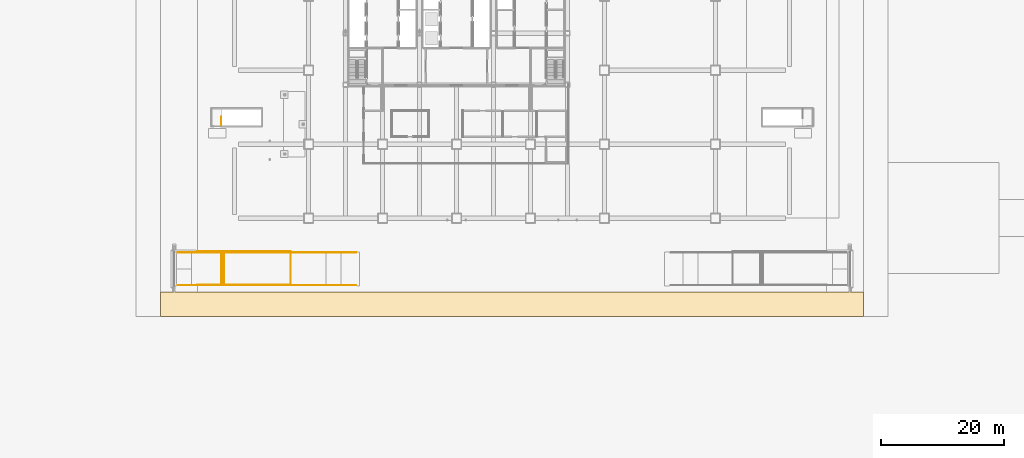
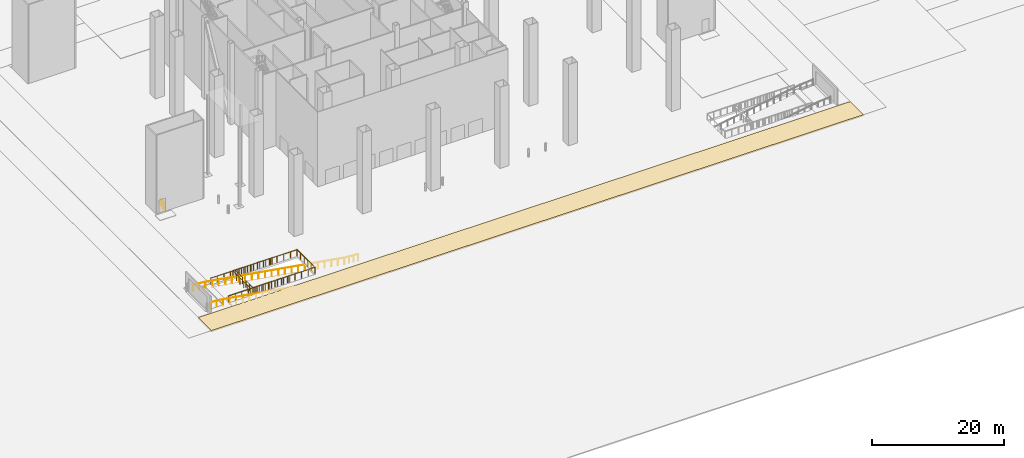
# One storey, part 16 of 22: 6 railings, 1 covering.
"""IFC4 building model written with IfcOpenShell, lengths in metres."""

from ifc_helpers import new_model, si_unit, direction, frame, origin, origin_2d, place, context, subcontext, project, spatial, polyline, circle, outline, extrude, material, layer, layer_set, type_object, element, save


model = new_model("IFC4")

# Units and contexts
model_context = context("Model", 3, precision=1e-05, world=origin(), true_north=direction((0.0, 1.0)))
body_context = subcontext(model_context, "Body", "Model", "MODEL_VIEW")
ifc_project = project(units=[si_unit("LENGTHUNIT", "METRE"), si_unit("AREAUNIT", "SQUARE_METRE"), si_unit("VOLUMEUNIT", "CUBIC_METRE"), si_unit("PLANEANGLEUNIT", "RADIAN"), si_unit("MASSUNIT", "GRAM", prefix="KILO")], contexts=[model_context])

# Site, building, storey
site_placement = place(None, origin())
site = spatial("IfcSite", under=ifc_project, at=site_placement, CompositionType="ELEMENT")
building_placement = place(site_placement, origin())
building = spatial("IfcBuilding", under=site, at=building_placement, Name="Sorahane Residences", CompositionType="ELEMENT")
storey_placement = place(building_placement, origin())
storey = spatial("IfcBuildingStorey", under=building, at=storey_placement, Name="L00", CompositionType="ELEMENT", Elevation=0.0)

# Covering
ifc_material_1 = material(Name="Concrete paving on compacted granular sub-base", Category="concrete")
ifc_layer = layer(ifc_material_1, 0.25)
ifc_layer_set = layer_set([ifc_layer], Name="Fire lane paving concrete 250")
covering_type = type_object("IfcCoveringType", Name="Fire lane paving concrete 250", PredefinedType="USERDEFINED", material=ifc_layer_set)
covering_placement = place(storey_placement, frame((0.0, 0.0, -0.25)))
element("IfcCovering", 1, at=covering_placement, inside=storey, type_object=covering_type, Name="Fire lane south", ObjectType="PAVING", PredefinedType="USERDEFINED", context=body_context, shape_type="SweptSolid", body=[
    extrude(outline(polyline([(90.0, -16.0), (90.0, -12.0), (-24.0, -12.0), (-24.0, -16.0), (90.0, -16.0)])), origin(), (0.0, 0.0, 1.0), 0.25),
])

# Railings
ifc_material_2 = material(Name="Steel Q355B", Category="steel")
railing_type_1 = type_object("IfcRailingType", Name="Ramp opening guard 1200 Steel Q355B", PredefinedType="GUARDRAIL", material=ifc_material_2)
railing_1_placement = place(storey_placement, frame((-21.199951171875, -10.89990234375, -0.0166015625)))
element("IfcRailing", 2, at=railing_1_placement, inside=storey, type_object=railing_type_1, Name="L00 ramp flight guard south", PredefinedType="GUARDRAIL", context=body_context, shape_type="SweptSolid", body=[
    extrude(circle(Radius=0.02392578125, at=origin_2d()), frame((0.0, 0.0, 1.17578125), z_axis=(0.996544995499, 0.0, -0.083054632296), x_axis=(0.0, 1.0, 0.0)), (0.0, 0.0, 1.0), 2.20751953125),
    extrude(circle(Radius=0.02392578125, at=origin_2d()), frame((2.199951171875, 0.0, 0.99267578125), z_axis=(0.986393655987, 0.0, -0.164400594367), x_axis=(0.0, 1.0, 0.0)), (0.0, 0.0, 1.0), 24.63525390625),
    extrude(circle(Radius=0.02392578125, at=origin_2d()), frame((26.5, 0.0, -3.0576171875), z_axis=(0.996547156423, 0.0, -0.083028700011), x_axis=(0.0, 1.0, 0.0)), (0.0, 0.0, 1.0), 2.408203125),
    extrude(circle(Radius=0.02099609375, at=origin_2d()), origin(), (0.0, 0.0, 1.0), 1.15185546875),
    extrude(circle(Radius=0.02099609375, at=origin_2d()), frame((1.10009765625, 0.0, -0.091796875)), (0.0, 0.0, 1.0), 1.15185546875),
    extrude(circle(Radius=0.02099609375, at=origin_2d()), frame((2.199951171875, 0.0, -0.183349609375)), (0.0, 0.0, 1.0), 1.15185546875),
    extrude(circle(Radius=0.02099609375, at=origin_2d()), frame((3.357177734375, 0.0, -0.376220703125)), (0.0, 0.0, 1.0), 1.15185546875),
    extrude(circle(Radius=0.02099609375, at=origin_2d()), frame((4.51416015625, 0.0, -0.569091796875)), (0.0, 0.0, 1.0), 1.15185546875),
    extrude(circle(Radius=0.02099609375, at=origin_2d()), frame((5.67138671875, 0.0, -0.761962890625)), (0.0, 0.0, 1.0), 1.15185546875),
    extrude(circle(Radius=0.02099609375, at=origin_2d()), frame((6.82861328125, 0.0, -0.954833984375)), (0.0, 0.0, 1.0), 1.15185546875),
    extrude(circle(Radius=0.02099609375, at=origin_2d()), frame((7.985595703125, 0.0, -1.147705078125)), (0.0, 0.0, 1.0), 1.15185546875),
    extrude(circle(Radius=0.02099609375, at=origin_2d()), frame((9.142822265625, 0.0, -1.340576171875)), (0.0, 0.0, 1.0), 1.15185546875),
    extrude(circle(Radius=0.02099609375, at=origin_2d()), frame((10.300048828125, 0.0, -1.533447265625)), (0.0, 0.0, 1.0), 1.15185546875),
    extrude(circle(Radius=0.02099609375, at=origin_2d()), frame((11.45703125, 0.0, -1.726318359375)), (0.0, 0.0, 1.0), 1.15185546875),
    extrude(circle(Radius=0.02099609375, at=origin_2d()), frame((12.6142578125, 0.0, -1.919189453125)), (0.0, 0.0, 1.0), 1.15185546875),
    extrude(circle(Radius=0.02099609375, at=origin_2d()), frame((13.771484375, 0.0, -2.112060546875)), (0.0, 0.0, 1.0), 1.15185546875),
    extrude(circle(Radius=0.02099609375, at=origin_2d()), frame((14.928466796875, 0.0, -2.3046875)), (0.0, 0.0, 1.0), 1.15185546875),
    extrude(circle(Radius=0.02099609375, at=origin_2d()), frame((16.085693359375, 0.0, -2.49755859375)), (0.0, 0.0, 1.0), 1.15185546875),
    extrude(circle(Radius=0.02099609375, at=origin_2d()), frame((17.242919921875, 0.0, -2.6904296875)), (0.0, 0.0, 1.0), 1.15185546875),
    extrude(circle(Radius=0.02099609375, at=origin_2d()), frame((18.39990234375, 0.0, -2.88330078125)), (0.0, 0.0, 1.0), 1.15185546875),
    extrude(circle(Radius=0.02099609375, at=origin_2d()), frame((19.55712890625, 0.0, -3.076171875)), (0.0, 0.0, 1.0), 1.15185546875),
    extrude(circle(Radius=0.02099609375, at=origin_2d()), frame((20.71435546875, 0.0, -3.26904296875)), (0.0, 0.0, 1.0), 1.15185546875),
    extrude(circle(Radius=0.02099609375, at=origin_2d()), frame((21.871337890625, 0.0, -3.4619140625)), (0.0, 0.0, 1.0), 1.15185546875),
    extrude(circle(Radius=0.02099609375, at=origin_2d()), frame((23.028564453125, 0.0, -3.65478515625)), (0.0, 0.0, 1.0), 1.15185546875),
    extrude(circle(Radius=0.02099609375, at=origin_2d()), frame((24.185791015625, 0.0, -3.84765625)), (0.0, 0.0, 1.0), 1.15185546875),
    extrude(circle(Radius=0.02099609375, at=origin_2d()), frame((25.3427734375, 0.0, -4.04052734375)), (0.0, 0.0, 1.0), 1.15185546875),
    extrude(circle(Radius=0.02099609375, at=origin_2d()), frame((26.5, 0.0, -4.2333984375)), (0.0, 0.0, 1.0), 1.15185546875),
    extrude(circle(Radius=0.02099609375, at=origin_2d()), frame((27.300048828125, 0.0, -4.300048828125)), (0.0, 0.0, 1.0), 1.15185546875),
    extrude(circle(Radius=0.02099609375, at=origin_2d()), frame((28.099853515625, 0.0, -4.36669921875)), (0.0, 0.0, 1.0), 1.15185546875),
    extrude(circle(Radius=0.02099609375, at=origin_2d()), frame((28.89990234375, 0.0, -4.433349609375)), (0.0, 0.0, 1.0), 1.15185546875),
])
railing_2_placement = place(storey_placement, frame((-21.199951171875, -5.60009765625, -0.0166015625)))
element("IfcRailing", 3, at=railing_2_placement, inside=storey, type_object=railing_type_1, Name="L00 ramp flight guard north", PredefinedType="GUARDRAIL", context=body_context, shape_type="SweptSolid", body=[
    extrude(circle(Radius=0.02392578125, at=origin_2d()), frame((0.0, 0.0, 1.17578125), z_axis=(0.996544995499, 0.0, -0.083054632296), x_axis=(0.0, 1.0, 0.0)), (0.0, 0.0, 1.0), 2.20751953125),
    extrude(circle(Radius=0.02392578125, at=origin_2d()), frame((2.199951171875, 0.0, 0.99267578125), z_axis=(0.986393655987, 0.0, -0.164400594367), x_axis=(0.0, 1.0, 0.0)), (0.0, 0.0, 1.0), 24.63525390625),
    extrude(circle(Radius=0.02392578125, at=origin_2d()), frame((26.5, 0.0, -3.0576171875), z_axis=(0.996547156423, 0.0, -0.083028700011), x_axis=(0.0, 1.0, 0.0)), (0.0, 0.0, 1.0), 2.408203125),
    extrude(circle(Radius=0.02099609375, at=origin_2d()), origin(), (0.0, 0.0, 1.0), 1.15185546875),
    extrude(circle(Radius=0.02099609375, at=origin_2d()), frame((1.10009765625, 0.0, -0.091796875)), (0.0, 0.0, 1.0), 1.15185546875),
    extrude(circle(Radius=0.02099609375, at=origin_2d()), frame((2.199951171875, 0.0, -0.183349609375)), (0.0, 0.0, 1.0), 1.15185546875),
    extrude(circle(Radius=0.02099609375, at=origin_2d()), frame((3.357177734375, 0.0, -0.376220703125)), (0.0, 0.0, 1.0), 1.15185546875),
    extrude(circle(Radius=0.02099609375, at=origin_2d()), frame((4.51416015625, 0.0, -0.569091796875)), (0.0, 0.0, 1.0), 1.15185546875),
    extrude(circle(Radius=0.02099609375, at=origin_2d()), frame((5.67138671875, 0.0, -0.761962890625)), (0.0, 0.0, 1.0), 1.15185546875),
    extrude(circle(Radius=0.02099609375, at=origin_2d()), frame((6.82861328125, 0.0, -0.954833984375)), (0.0, 0.0, 1.0), 1.15185546875),
    extrude(circle(Radius=0.02099609375, at=origin_2d()), frame((7.985595703125, 0.0, -1.147705078125)), (0.0, 0.0, 1.0), 1.15185546875),
    extrude(circle(Radius=0.02099609375, at=origin_2d()), frame((9.142822265625, 0.0, -1.340576171875)), (0.0, 0.0, 1.0), 1.15185546875),
    extrude(circle(Radius=0.02099609375, at=origin_2d()), frame((10.300048828125, 0.0, -1.533447265625)), (0.0, 0.0, 1.0), 1.15185546875),
    extrude(circle(Radius=0.02099609375, at=origin_2d()), frame((11.45703125, 0.0, -1.726318359375)), (0.0, 0.0, 1.0), 1.15185546875),
    extrude(circle(Radius=0.02099609375, at=origin_2d()), frame((12.6142578125, 0.0, -1.919189453125)), (0.0, 0.0, 1.0), 1.15185546875),
    extrude(circle(Radius=0.02099609375, at=origin_2d()), frame((13.771484375, 0.0, -2.112060546875)), (0.0, 0.0, 1.0), 1.15185546875),
    extrude(circle(Radius=0.02099609375, at=origin_2d()), frame((14.928466796875, 0.0, -2.3046875)), (0.0, 0.0, 1.0), 1.15185546875),
    extrude(circle(Radius=0.02099609375, at=origin_2d()), frame((16.085693359375, 0.0, -2.49755859375)), (0.0, 0.0, 1.0), 1.15185546875),
    extrude(circle(Radius=0.02099609375, at=origin_2d()), frame((17.242919921875, 0.0, -2.6904296875)), (0.0, 0.0, 1.0), 1.15185546875),
    extrude(circle(Radius=0.02099609375, at=origin_2d()), frame((18.39990234375, 0.0, -2.88330078125)), (0.0, 0.0, 1.0), 1.15185546875),
    extrude(circle(Radius=0.02099609375, at=origin_2d()), frame((19.55712890625, 0.0, -3.076171875)), (0.0, 0.0, 1.0), 1.15185546875),
    extrude(circle(Radius=0.02099609375, at=origin_2d()), frame((20.71435546875, 0.0, -3.26904296875)), (0.0, 0.0, 1.0), 1.15185546875),
    extrude(circle(Radius=0.02099609375, at=origin_2d()), frame((21.871337890625, 0.0, -3.4619140625)), (0.0, 0.0, 1.0), 1.15185546875),
    extrude(circle(Radius=0.02099609375, at=origin_2d()), frame((23.028564453125, 0.0, -3.65478515625)), (0.0, 0.0, 1.0), 1.15185546875),
    extrude(circle(Radius=0.02099609375, at=origin_2d()), frame((24.185791015625, 0.0, -3.84765625)), (0.0, 0.0, 1.0), 1.15185546875),
    extrude(circle(Radius=0.02099609375, at=origin_2d()), frame((25.3427734375, 0.0, -4.04052734375)), (0.0, 0.0, 1.0), 1.15185546875),
    extrude(circle(Radius=0.02099609375, at=origin_2d()), frame((26.5, 0.0, -4.2333984375)), (0.0, 0.0, 1.0), 1.15185546875),
    extrude(circle(Radius=0.02099609375, at=origin_2d()), frame((27.300048828125, 0.0, -4.300048828125)), (0.0, 0.0, 1.0), 1.15185546875),
    extrude(circle(Radius=0.02099609375, at=origin_2d()), frame((28.099853515625, 0.0, -4.36669921875)), (0.0, 0.0, 1.0), 1.15185546875),
    extrude(circle(Radius=0.02099609375, at=origin_2d()), frame((28.89990234375, 0.0, -4.433349609375)), (0.0, 0.0, 1.0), 1.15185546875),
])
railing_3_placement = place(storey_placement, frame((-7.300048828125, -5.39990234375, 0.0)))
element("IfcRailing", 4, at=railing_3_placement, inside=storey, type_object=railing_type_1, Name="L00 ramp opening guard", PredefinedType="GUARDRAIL", context=body_context, shape_type="SweptSolid", body=[
    extrude(circle(Radius=0.02392578125, at=origin_2d()), frame((0.0, 0.0, 1.17578125), z_axis=(-1.0, 0.0, 0.0), x_axis=(0.0, -1.0, 0.0)), (0.0, 0.0, 1.0), 6.39990234375),
    extrude(circle(Radius=0.02392578125, at=origin_2d()), frame((-6.39990234375, 0.0, 1.17578125), z_axis=(0.0, -1.0, 0.0), x_axis=(1.0, 0.0, 0.0)), (0.0, 0.0, 1.0), 5.400146484375),
    extrude(circle(Radius=0.02392578125, at=origin_2d()), frame((-6.39990234375, -5.400146484375, 1.17578125), z_axis=(1.0, 0.0, 0.0), x_axis=(0.0, 1.0, 0.0)), (0.0, 0.0, 1.0), 6.39990234375),
    extrude(circle(Radius=0.02099609375, at=origin_2d()), origin(), (0.0, 0.0, 1.0), 1.15185546875),
    extrude(circle(Radius=0.02099609375, at=origin_2d()), frame((-1.066650390625, 0.0, 0.0)), (0.0, 0.0, 1.0), 1.15185546875),
    extrude(circle(Radius=0.02099609375, at=origin_2d()), frame((-2.13330078125, 0.0, 0.0)), (0.0, 0.0, 1.0), 1.15185546875),
    extrude(circle(Radius=0.02099609375, at=origin_2d()), frame((-3.199951171875, 0.0, 0.0)), (0.0, 0.0, 1.0), 1.15185546875),
    extrude(circle(Radius=0.02099609375, at=origin_2d()), frame((-4.2666015625, 0.0, 0.0)), (0.0, 0.0, 1.0), 1.15185546875),
    extrude(circle(Radius=0.02099609375, at=origin_2d()), frame((-5.333251953125, 0.0, 0.0)), (0.0, 0.0, 1.0), 1.15185546875),
    extrude(circle(Radius=0.02099609375, at=origin_2d()), frame((-6.39990234375, 0.0, 0.0)), (0.0, 0.0, 1.0), 1.15185546875),
    extrude(circle(Radius=0.02099609375, at=origin_2d()), frame((-6.39990234375, -1.080078125, 0.0)), (0.0, 0.0, 1.0), 1.15185546875),
    extrude(circle(Radius=0.02099609375, at=origin_2d()), frame((-6.39990234375, -2.16015625, 0.0)), (0.0, 0.0, 1.0), 1.15185546875),
    extrude(circle(Radius=0.02099609375, at=origin_2d()), frame((-6.39990234375, -3.239990234375, 0.0)), (0.0, 0.0, 1.0), 1.15185546875),
    extrude(circle(Radius=0.02099609375, at=origin_2d()), frame((-6.39990234375, -4.320068359375, 0.0)), (0.0, 0.0, 1.0), 1.15185546875),
    extrude(circle(Radius=0.02099609375, at=origin_2d()), frame((-6.39990234375, -5.400146484375, 0.0)), (0.0, 0.0, 1.0), 1.15185546875),
    extrude(circle(Radius=0.02099609375, at=origin_2d()), frame((-5.333251953125, -5.400146484375, 0.0)), (0.0, 0.0, 1.0), 1.15185546875),
    extrude(circle(Radius=0.02099609375, at=origin_2d()), frame((-4.2666015625, -5.400146484375, 0.0)), (0.0, 0.0, 1.0), 1.15185546875),
    extrude(circle(Radius=0.02099609375, at=origin_2d()), frame((-3.199951171875, -5.400146484375, 0.0)), (0.0, 0.0, 1.0), 1.15185546875),
    extrude(circle(Radius=0.02099609375, at=origin_2d()), frame((-2.13330078125, -5.400146484375, 0.0)), (0.0, 0.0, 1.0), 1.15185546875),
    extrude(circle(Radius=0.02099609375, at=origin_2d()), frame((-1.066650390625, -5.400146484375, 0.0)), (0.0, 0.0, 1.0), 1.15185546875),
    extrude(circle(Radius=0.02099609375, at=origin_2d()), frame((0.0, -5.400146484375, 0.0)), (0.0, 0.0, 1.0), 1.15185546875),
])
railing_4_placement = place(storey_placement, frame((-7.699951171875, -5.39990234375, 0.0)))
element("IfcRailing", 5, at=railing_4_placement, inside=storey, type_object=railing_type_1, Name="L00 ramp opening guard", PredefinedType="GUARDRAIL", context=body_context, shape_type="SweptSolid", body=[
    extrude(circle(Radius=0.02392578125, at=origin_2d()), frame((0.0, 0.0, 1.17578125), z_axis=(-1.0, 0.0, 0.0), x_axis=(0.0, -1.0, 0.0)), (0.0, 0.0, 1.0), 6.400146484375),
    extrude(circle(Radius=0.02392578125, at=origin_2d()), frame((-6.400146484375, 0.0, 1.17578125), z_axis=(0.0, -1.0, 0.0), x_axis=(1.0, 0.0, 0.0)), (0.0, 0.0, 1.0), 5.400146484375),
    extrude(circle(Radius=0.02392578125, at=origin_2d()), frame((-6.400146484375, -5.400146484375, 1.17578125), z_axis=(1.0, 0.0, 0.0), x_axis=(0.0, 1.0, 0.0)), (0.0, 0.0, 1.0), 6.400146484375),
    extrude(circle(Radius=0.02099609375, at=origin_2d()), origin(), (0.0, 0.0, 1.0), 1.15185546875),
    extrude(circle(Radius=0.02099609375, at=origin_2d()), frame((-1.066650390625, 0.0, 0.0)), (0.0, 0.0, 1.0), 1.15185546875),
    extrude(circle(Radius=0.02099609375, at=origin_2d()), frame((-2.13330078125, 0.0, 0.0)), (0.0, 0.0, 1.0), 1.15185546875),
    extrude(circle(Radius=0.02099609375, at=origin_2d()), frame((-3.2001953125, 0.0, 0.0)), (0.0, 0.0, 1.0), 1.15185546875),
    extrude(circle(Radius=0.02099609375, at=origin_2d()), frame((-4.266845703125, 0.0, 0.0)), (0.0, 0.0, 1.0), 1.15185546875),
    extrude(circle(Radius=0.02099609375, at=origin_2d()), frame((-5.33349609375, 0.0, 0.0)), (0.0, 0.0, 1.0), 1.15185546875),
    extrude(circle(Radius=0.02099609375, at=origin_2d()), frame((-6.400146484375, 0.0, 0.0)), (0.0, 0.0, 1.0), 1.15185546875),
    extrude(circle(Radius=0.02099609375, at=origin_2d()), frame((-6.400146484375, -1.080078125, 0.0)), (0.0, 0.0, 1.0), 1.15185546875),
    extrude(circle(Radius=0.02099609375, at=origin_2d()), frame((-6.400146484375, -2.16015625, 0.0)), (0.0, 0.0, 1.0), 1.15185546875),
    extrude(circle(Radius=0.02099609375, at=origin_2d()), frame((-6.400146484375, -3.239990234375, 0.0)), (0.0, 0.0, 1.0), 1.15185546875),
    extrude(circle(Radius=0.02099609375, at=origin_2d()), frame((-6.400146484375, -4.320068359375, 0.0)), (0.0, 0.0, 1.0), 1.15185546875),
    extrude(circle(Radius=0.02099609375, at=origin_2d()), frame((-6.400146484375, -5.400146484375, 0.0)), (0.0, 0.0, 1.0), 1.15185546875),
    extrude(circle(Radius=0.02099609375, at=origin_2d()), frame((-5.33349609375, -5.400146484375, 0.0)), (0.0, 0.0, 1.0), 1.15185546875),
    extrude(circle(Radius=0.02099609375, at=origin_2d()), frame((-4.266845703125, -5.400146484375, 0.0)), (0.0, 0.0, 1.0), 1.15185546875),
    extrude(circle(Radius=0.02099609375, at=origin_2d()), frame((-3.2001953125, -5.400146484375, 0.0)), (0.0, 0.0, 1.0), 1.15185546875),
    extrude(circle(Radius=0.02099609375, at=origin_2d()), frame((-2.13330078125, -5.400146484375, 0.0)), (0.0, 0.0, 1.0), 1.15185546875),
    extrude(circle(Radius=0.02099609375, at=origin_2d()), frame((-1.066650390625, -5.400146484375, 0.0)), (0.0, 0.0, 1.0), 1.15185546875),
    extrude(circle(Radius=0.02099609375, at=origin_2d()), frame((0.0, -5.400146484375, 0.0)), (0.0, 0.0, 1.0), 1.15185546875),
])
railing_5_placement = place(storey_placement, frame((-18.0, -5.39990234375, 0.0)))
element("IfcRailing", 6, at=railing_5_placement, inside=storey, type_object=railing_type_1, Name="L00 ramp opening guard", PredefinedType="GUARDRAIL", context=body_context, shape_type="SweptSolid", body=[
    extrude(circle(Radius=0.02392578125, at=origin_2d()), frame((0.0, 0.0, 1.17578125), z_axis=(1.0, 0.0, 0.0), x_axis=(0.0, 1.0, 0.0)), (0.0, 0.0, 1.0), 15.10009765625),
    extrude(circle(Radius=0.02392578125, at=origin_2d()), frame((15.10009765625, 0.0, 1.17578125), z_axis=(0.0, -1.0, 0.0), x_axis=(1.0, 0.0, 0.0)), (0.0, 0.0, 1.0), 5.400146484375),
    extrude(circle(Radius=0.02392578125, at=origin_2d()), frame((15.10009765625, -5.400146484375, 1.17578125), z_axis=(-1.0, 0.0, 0.0), x_axis=(0.0, -1.0, 0.0)), (0.0, 0.0, 1.0), 15.10009765625),
    extrude(circle(Radius=0.02099609375, at=origin_2d()), origin(), (0.0, 0.0, 1.0), 1.15185546875),
    extrude(circle(Radius=0.02099609375, at=origin_2d()), frame((1.16162109375, 0.0, 0.0)), (0.0, 0.0, 1.0), 1.15185546875),
    extrude(circle(Radius=0.02099609375, at=origin_2d()), frame((2.322998046875, 0.0, 0.0)), (0.0, 0.0, 1.0), 1.15185546875),
    extrude(circle(Radius=0.02099609375, at=origin_2d()), frame((3.484619140625, 0.0, 0.0)), (0.0, 0.0, 1.0), 1.15185546875),
    extrude(circle(Radius=0.02099609375, at=origin_2d()), frame((4.646240234375, 0.0, 0.0)), (0.0, 0.0, 1.0), 1.15185546875),
    extrude(circle(Radius=0.02099609375, at=origin_2d()), frame((5.8076171875, 0.0, 0.0)), (0.0, 0.0, 1.0), 1.15185546875),
    extrude(circle(Radius=0.02099609375, at=origin_2d()), frame((6.96923828125, 0.0, 0.0)), (0.0, 0.0, 1.0), 1.15185546875),
    extrude(circle(Radius=0.02099609375, at=origin_2d()), frame((8.130859375, 0.0, 0.0)), (0.0, 0.0, 1.0), 1.15185546875),
    extrude(circle(Radius=0.02099609375, at=origin_2d()), frame((9.29248046875, 0.0, 0.0)), (0.0, 0.0, 1.0), 1.15185546875),
    extrude(circle(Radius=0.02099609375, at=origin_2d()), frame((10.453857421875, 0.0, 0.0)), (0.0, 0.0, 1.0), 1.15185546875),
    extrude(circle(Radius=0.02099609375, at=origin_2d()), frame((11.615478515625, 0.0, 0.0)), (0.0, 0.0, 1.0), 1.15185546875),
    extrude(circle(Radius=0.02099609375, at=origin_2d()), frame((12.777099609375, 0.0, 0.0)), (0.0, 0.0, 1.0), 1.15185546875),
    extrude(circle(Radius=0.02099609375, at=origin_2d()), frame((13.9384765625, 0.0, 0.0)), (0.0, 0.0, 1.0), 1.15185546875),
    extrude(circle(Radius=0.02099609375, at=origin_2d()), frame((15.10009765625, 0.0, 0.0)), (0.0, 0.0, 1.0), 1.15185546875),
    extrude(circle(Radius=0.02099609375, at=origin_2d()), frame((15.10009765625, -1.080078125, 0.0)), (0.0, 0.0, 1.0), 1.15185546875),
    extrude(circle(Radius=0.02099609375, at=origin_2d()), frame((15.10009765625, -2.16015625, 0.0)), (0.0, 0.0, 1.0), 1.15185546875),
    extrude(circle(Radius=0.02099609375, at=origin_2d()), frame((15.10009765625, -3.239990234375, 0.0)), (0.0, 0.0, 1.0), 1.15185546875),
    extrude(circle(Radius=0.02099609375, at=origin_2d()), frame((15.10009765625, -4.320068359375, 0.0)), (0.0, 0.0, 1.0), 1.15185546875),
    extrude(circle(Radius=0.02099609375, at=origin_2d()), frame((15.10009765625, -5.400146484375, 0.0)), (0.0, 0.0, 1.0), 1.15185546875),
    extrude(circle(Radius=0.02099609375, at=origin_2d()), frame((13.9384765625, -5.400146484375, 0.0)), (0.0, 0.0, 1.0), 1.15185546875),
    extrude(circle(Radius=0.02099609375, at=origin_2d()), frame((12.777099609375, -5.400146484375, 0.0)), (0.0, 0.0, 1.0), 1.15185546875),
    extrude(circle(Radius=0.02099609375, at=origin_2d()), frame((11.615478515625, -5.400146484375, 0.0)), (0.0, 0.0, 1.0), 1.15185546875),
    extrude(circle(Radius=0.02099609375, at=origin_2d()), frame((10.453857421875, -5.400146484375, 0.0)), (0.0, 0.0, 1.0), 1.15185546875),
    extrude(circle(Radius=0.02099609375, at=origin_2d()), frame((9.29248046875, -5.400146484375, 0.0)), (0.0, 0.0, 1.0), 1.15185546875),
    extrude(circle(Radius=0.02099609375, at=origin_2d()), frame((8.130859375, -5.400146484375, 0.0)), (0.0, 0.0, 1.0), 1.15185546875),
    extrude(circle(Radius=0.02099609375, at=origin_2d()), frame((6.96923828125, -5.400146484375, 0.0)), (0.0, 0.0, 1.0), 1.15185546875),
    extrude(circle(Radius=0.02099609375, at=origin_2d()), frame((5.8076171875, -5.400146484375, 0.0)), (0.0, 0.0, 1.0), 1.15185546875),
    extrude(circle(Radius=0.02099609375, at=origin_2d()), frame((4.646240234375, -5.400146484375, 0.0)), (0.0, 0.0, 1.0), 1.15185546875),
    extrude(circle(Radius=0.02099609375, at=origin_2d()), frame((3.484619140625, -5.400146484375, 0.0)), (0.0, 0.0, 1.0), 1.15185546875),
    extrude(circle(Radius=0.02099609375, at=origin_2d()), frame((2.322998046875, -5.400146484375, 0.0)), (0.0, 0.0, 1.0), 1.15185546875),
    extrude(circle(Radius=0.02099609375, at=origin_2d()), frame((1.16162109375, -5.400146484375, 0.0)), (0.0, 0.0, 1.0), 1.15185546875),
    extrude(circle(Radius=0.02099609375, at=origin_2d()), frame((0.0, -5.400146484375, 0.0)), (0.0, 0.0, 1.0), 1.15185546875),
])
ifc_material_3 = material(Name="Steel Q355B", Category="steel")
railing_type_2 = type_object("IfcRailingType", Name="Stair guard 1200 Steel Q355B", PredefinedType="GUARDRAIL", material=ifc_material_3)
railing_6_placement = place(storey_placement, frame((-14.14990234375, 15.0, 0.0)))
element("IfcRailing", 7, at=railing_6_placement, inside=storey, type_object=railing_type_2, Name="L00 BS3 top well guard 1", PredefinedType="GUARDRAIL", context=body_context, shape_type="SweptSolid", body=[
    extrude(circle(Radius=0.02392578125, at=origin_2d()), frame((0.0, 0.0, 1.23583984375), z_axis=(0.0, 1.0, 0.0), x_axis=(-1.0, 0.0, 0.0)), (0.0, 0.0, 1.0), 1.39990234375),
    extrude(circle(Radius=0.02099609375, at=origin_2d()), origin(), (0.0, 0.0, 1.0), 1.2119140625),
    extrude(circle(Radius=0.02099609375, at=origin_2d()), frame((0.0, 0.699951171875, 0.0)), (0.0, 0.0, 1.0), 1.2119140625),
    extrude(circle(Radius=0.02099609375, at=origin_2d()), frame((0.0, 1.39990234375, 0.0)), (0.0, 0.0, 1.0), 1.2119140625),
])

save(model, "model.ifc")
